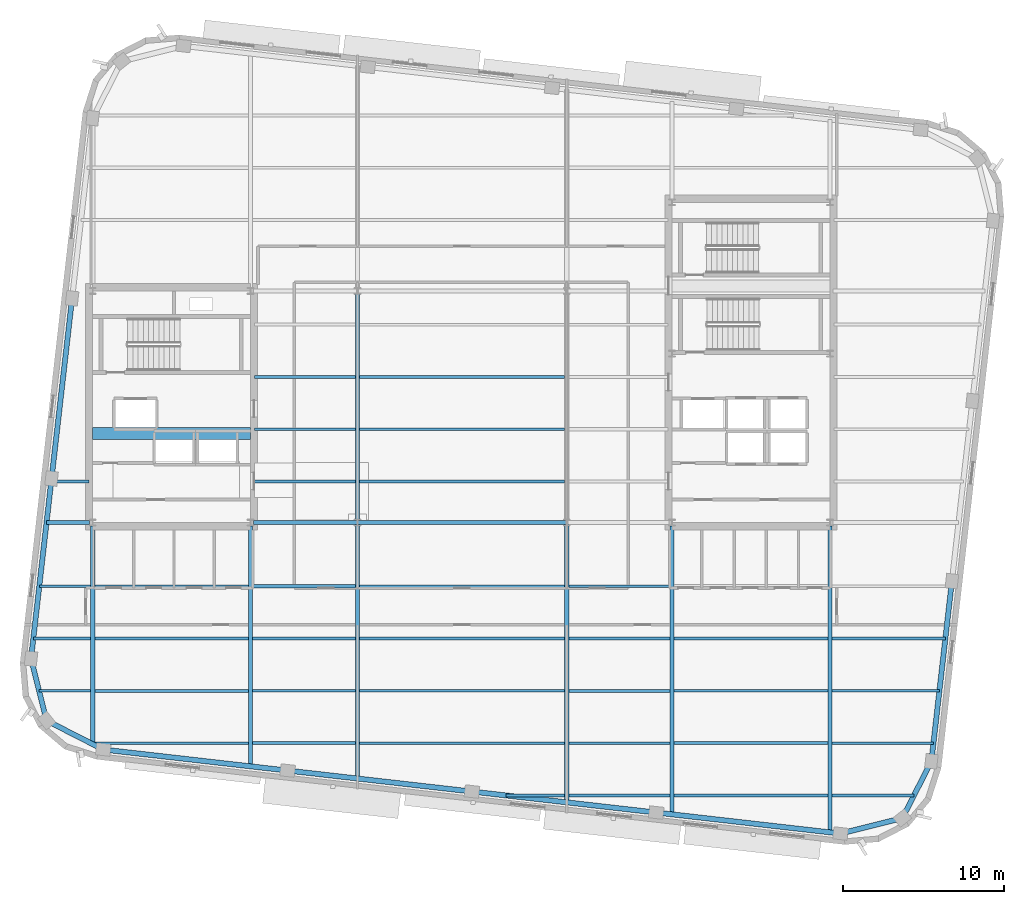
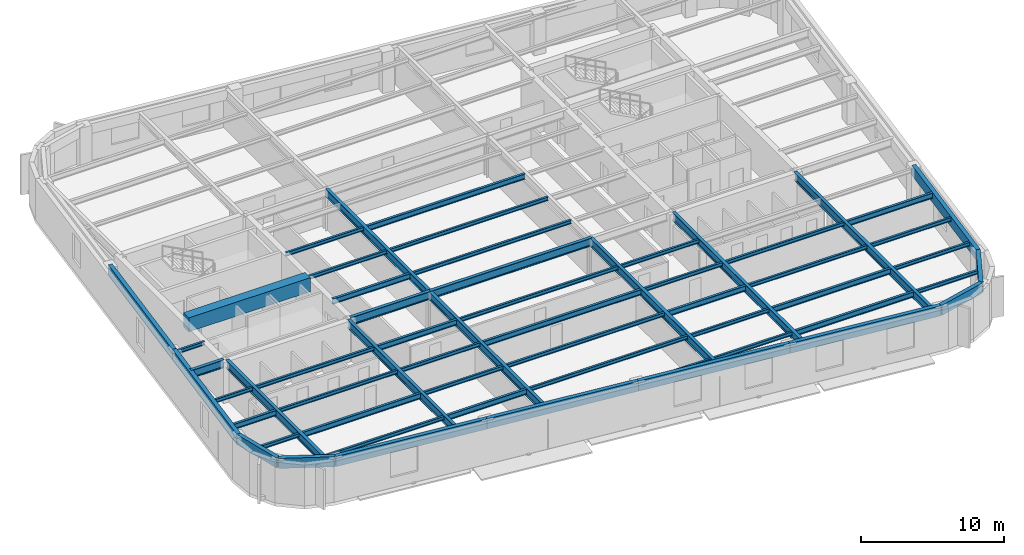
# One storey, part 3 of 14: 58 beams.
"""IFC4 building model written with IfcOpenShell, lengths in metres."""

from ifc_helpers import new_model, si_unit, direction, frame, origin, origin_2d, place, context, subcontext, project, spatial, rectangle, hollow_rectangle, i_section, extrude, material, material_profile, profile_set, type_object, element, save


model = new_model("IFC4")

# Units and contexts
model_context = context("Model", 3, precision=1e-05, world=origin(), true_north=direction((0.0, 1.0)))
body_context = subcontext(model_context, "Body", "Model", "MODEL_VIEW")
ifc_project = project(units=[si_unit("LENGTHUNIT", "METRE"), si_unit("AREAUNIT", "SQUARE_METRE"), si_unit("VOLUMEUNIT", "CUBIC_METRE"), si_unit("PLANEANGLEUNIT", "RADIAN"), si_unit("MASSUNIT", "GRAM", prefix="KILO")], contexts=[model_context])

# Site, building, storey
site_placement = place(None, origin())
site = spatial("IfcSite", under=ifc_project, at=site_placement, CompositionType="ELEMENT")
building_placement = place(site_placement, origin())
building = spatial("IfcBuilding", under=site, at=building_placement, Name="Kolvaren Arena Tower", CompositionType="ELEMENT")
storey_placement = place(building_placement, frame((0.0, 0.0, 235.949951171875)))
storey = spatial("IfcBuildingStorey", under=building, at=storey_placement, Name="L57", CompositionType="ELEMENT", Elevation=235.949951171875)

# Beams
ifc_material_1 = material(Name="Steel CSA G40.21 350W", Category="steel")
ifc_material_profile_1 = material_profile(ifc_material_1, i_section(OverallWidth=0.193115234375, OverallDepth=0.462890625, WebThickness=0.0107421875, FlangeThickness=0.0205078125, FilletRadius=0.012939453125, at=origin_2d()), Name="W460x113")
ifc_profile_set_1 = profile_set([ifc_material_profile_1], Name="Steel CSA G40.21 350W")
beam_type_1 = type_object("IfcBeamType", Name="BEAM-F2", PredefinedType="BEAM", material=ifc_profile_set_1)
beam_1_placement = place(storey_placement, frame((50.677490234375, 2.5, 3.24853515625), z_axis=(1.0, 0.0, 0.0), x_axis=(0.0, 1.0, 0.0)))
element("IfcBeam", 1, at=beam_1_placement, inside=storey, type_object=beam_type_1, Name="Composite Floor Beam (L57)", PredefinedType="BEAM", context=body_context, shape_type="SweptSolid", body=[
    extrude(i_section(OverallWidth=0.193115234375, OverallDepth=0.462890625, WebThickness=0.0107421875, FlangeThickness=0.0205078125, FilletRadius=0.012939453125, at=origin_2d()), origin(), (0.0, 0.0, 1.0), 9.544921875),
])
beam_2_placement = place(storey_placement, frame((24.4775390625, 5.75, 3.24853515625), z_axis=(1.0, 0.0, 0.0), x_axis=(0.0, 1.0, 0.0)))
element("IfcBeam", 2, at=beam_2_placement, inside=storey, type_object=beam_type_1, Name="Composite Floor Beam (L57)", PredefinedType="BEAM", context=body_context, shape_type="SweptSolid", body=[
    extrude(i_section(OverallWidth=0.193115234375, OverallDepth=0.462890625, WebThickness=0.0107421875, FlangeThickness=0.0205078125, FilletRadius=0.012939453125, at=origin_2d()), origin(), (0.0, 0.0, 1.0), 6.39501953125),
])
for number, where, z_axis, x_axis, name in (
    (3, (50.677490234375, 5.75, 3.24853515625), (1.0, 0.0, 0.0), (0.0, 1.0, 0.0), "Composite Floor Beam (L57)"),
    (4, (14.677490234375, 9.0, 3.24853515625), (1.0, 0.0, 0.0), (0.0, 1.0, 0.0), "Composite Floor Beam (L57)"),
):
    element("IfcBeam", number, at=place(storey_placement, frame(where, z_axis=z_axis, x_axis=x_axis)), inside=storey, type_object=beam_type_1, Name=name, PredefinedType="BEAM", context=body_context, shape_type="SweptSolid", body=[
        extrude(i_section(OverallWidth=0.193115234375, OverallDepth=0.462890625, WebThickness=0.0107421875, FlangeThickness=0.0205078125, FilletRadius=0.012939453125, at=origin_2d()), origin(), (0.0, 0.0, 1.0), 9.544921875),
    ])
beam_3_placement = place(storey_placement, frame((44.12744140625, 9.0, 3.24853515625), z_axis=(1.0, 0.0, 0.0), x_axis=(0.0, 1.0, 0.0)))
element("IfcBeam", 5, at=beam_3_placement, inside=storey, type_object=beam_type_1, Name="Composite Floor Beam (L57)", PredefinedType="BEAM", context=body_context, shape_type="SweptSolid", body=[
    extrude(i_section(OverallWidth=0.193115234375, OverallDepth=0.462890625, WebThickness=0.0107421875, FlangeThickness=0.0205078125, FilletRadius=0.012939453125, at=origin_2d()), origin(), (0.0, 0.0, 1.0), 6.295166015625),
])
beam_4_placement = place(storey_placement, frame((10.86083984375, 12.25, 3.24853515625), z_axis=(1.0, 0.0, 0.0), x_axis=(0.0, 1.0, 0.0)))
element("IfcBeam", 6, at=beam_4_placement, inside=storey, type_object=beam_type_1, Name="Composite Floor Beam (L57)", PredefinedType="BEAM", context=body_context, shape_type="SweptSolid", body=[
    extrude(i_section(OverallWidth=0.193115234375, OverallDepth=0.462890625, WebThickness=0.0107421875, FlangeThickness=0.0205078125, FilletRadius=0.012939453125, at=origin_2d()), origin(), (0.0, 0.0, 1.0), 3.561767578125),
])
beam_5_placement = place(storey_placement, frame((31.12744140625, 12.25, 3.24853515625), z_axis=(1.0, 0.0, 0.0), x_axis=(0.0, 1.0, 0.0)))
element("IfcBeam", 7, at=beam_5_placement, inside=storey, type_object=beam_type_1, Name="Composite Floor Beam (L57)", PredefinedType="BEAM", context=body_context, shape_type="SweptSolid", body=[
    extrude(i_section(OverallWidth=0.193115234375, OverallDepth=0.462890625, WebThickness=0.0107421875, FlangeThickness=0.0205078125, FilletRadius=0.012939453125, at=origin_2d()), origin(), (0.0, 0.0, 1.0), 12.7451171875),
])
beam_6_placement = place(storey_placement, frame((60.4775390625, 12.25, 3.24853515625), z_axis=(1.0, 0.0, 0.0), x_axis=(0.0, 1.0, 0.0)))
element("IfcBeam", 8, at=beam_6_placement, inside=storey, type_object=beam_type_1, Name="Composite Floor Beam (L57)", PredefinedType="BEAM", context=body_context, shape_type="SweptSolid", body=[
    extrude(i_section(OverallWidth=0.193115234375, OverallDepth=0.462890625, WebThickness=0.0107421875, FlangeThickness=0.0205078125, FilletRadius=0.012939453125, at=origin_2d()), origin(), (0.0, 0.0, 1.0), 7.04736328125),
])
beam_7_placement = place(storey_placement, frame((24.4775390625, 15.5, 3.24853515625), z_axis=(1.0, 0.0, 0.0), x_axis=(0.0, 1.0, 0.0)))
element("IfcBeam", 9, at=beam_7_placement, inside=storey, type_object=beam_type_1, Name="Composite Floor Beam (L57)", PredefinedType="BEAM", context=body_context, shape_type="SweptSolid", body=[
    extrude(i_section(OverallWidth=0.193115234375, OverallDepth=0.462890625, WebThickness=0.0107421875, FlangeThickness=0.0205078125, FilletRadius=0.012939453125, at=origin_2d()), origin(), (0.0, 0.0, 1.0), 6.39501953125),
])
beam_8_placement = place(storey_placement, frame((24.594970703125, 22.0, 3.24853515625), z_axis=(1.0, 0.0, 0.0), x_axis=(0.0, 1.0, 0.0)))
element("IfcBeam", 10, at=beam_8_placement, inside=storey, type_object=beam_type_1, Name="Composite Floor Beam (L57)", PredefinedType="BEAM", context=body_context, shape_type="SweptSolid", body=[
    extrude(i_section(OverallWidth=0.193115234375, OverallDepth=0.462890625, WebThickness=0.0107421875, FlangeThickness=0.0205078125, FilletRadius=0.012939453125, at=origin_2d()), origin(), (0.0, 0.0, 1.0), 6.277587890625),
])
beam_9_placement = place(storey_placement, frame((31.12744140625, 28.5, 3.24853515625), z_axis=(1.0, 0.0, 0.0), x_axis=(0.0, 1.0, 0.0)))
element("IfcBeam", 11, at=beam_9_placement, inside=storey, type_object=beam_type_1, Name="Composite Floor Beam (L57)", PredefinedType="BEAM", context=body_context, shape_type="SweptSolid", body=[
    extrude(i_section(OverallWidth=0.193115234375, OverallDepth=0.462890625, WebThickness=0.0107421875, FlangeThickness=0.0205078125, FilletRadius=0.012939453125, at=origin_2d()), origin(), (0.0, 0.0, 1.0), 12.7451171875),
])
ifc_material_2 = material(Name="Concrete 60 MPa", Category="concrete")
ifc_material_profile_2 = material_profile(ifc_material_2, rectangle(XDim=0.75, YDim=1.199951171875, at=origin_2d()), Name="RC-750x1200")
ifc_profile_set_2 = profile_set([ifc_material_profile_2], Name="Concrete 60 MPa")
beam_type_2 = type_object("IfcBeamType", Name="CB-CORE-2", PredefinedType="BEAM", material=ifc_profile_set_2)
beam_10_placement = place(storey_placement, frame((14.550048828125, 25.0, 3.150146484375), z_axis=(1.0, 0.0, 0.0), x_axis=(0.0, 1.0, 0.0)))
element("IfcBeam", 12, at=beam_10_placement, inside=storey, type_object=beam_type_2, Name="West Core Coupling Beam (L57)", PredefinedType="BEAM", context=body_context, shape_type="SweptSolid", body=[
    extrude(rectangle(XDim=0.75, YDim=1.199951171875, at=origin_2d()), origin(), (0.0, 0.0, 1.0), 9.800048828125),
])
ifc_material_profile_3 = material_profile(ifc_material_1, i_section(OverallWidth=0.2548828125, OverallDepth=0.695068359375, WebThickness=0.01708984375, FlangeThickness=0.02978515625, FilletRadius=0.01611328125, at=origin_2d()), Name="W690x217")
ifc_profile_set_3 = profile_set([ifc_material_profile_3], Name="Steel CSA G40.21 350W")
beam_type_3 = type_object("IfcBeamType", Name="GIRD-T2", PredefinedType="BEAM", material=ifc_profile_set_3)
beam_11_placement = place(storey_placement, frame((11.68115234375, 19.449951171875, 3.132568359375), z_axis=(1.0, 0.0, 0.0), x_axis=(0.0, 1.0, 0.0)))
element("IfcBeam", 13, at=beam_11_placement, inside=storey, type_object=beam_type_3, Name="Primary Floor Girder (L57)", PredefinedType="BEAM", context=body_context, shape_type="SweptSolid", body=[
    extrude(i_section(OverallWidth=0.2548828125, OverallDepth=0.695068359375, WebThickness=0.01708984375, FlangeThickness=0.02978515625, FilletRadius=0.01611328125, at=origin_2d()), origin(), (0.0, 0.0, 1.0), 2.663818359375),
])
beam_12_placement = place(storey_placement, frame((24.554931640625, 19.449951171875, 3.132568359375), z_axis=(1.0, 0.0, 0.0), x_axis=(0.0, 1.0, 0.0)))
element("IfcBeam", 14, at=beam_12_placement, inside=storey, type_object=beam_type_3, Name="Primary Floor Girder (L57)", PredefinedType="BEAM", context=body_context, shape_type="SweptSolid", body=[
    extrude(i_section(OverallWidth=0.2548828125, OverallDepth=0.695068359375, WebThickness=0.01708984375, FlangeThickness=0.02978515625, FilletRadius=0.01611328125, at=origin_2d()), origin(), (0.0, 0.0, 1.0), 6.445068359375),
])
beam_13_placement = place(storey_placement, frame((31.0, 19.449951171875, 3.132568359375), z_axis=(1.0, 0.0, 0.0), x_axis=(0.0, 1.0, 0.0)))
element("IfcBeam", 15, at=beam_13_placement, inside=storey, type_object=beam_type_3, Name="Primary Floor Girder (L57)", PredefinedType="BEAM", context=body_context, shape_type="SweptSolid", body=[
    extrude(i_section(OverallWidth=0.2548828125, OverallDepth=0.695068359375, WebThickness=0.01708984375, FlangeThickness=0.02978515625, FilletRadius=0.01611328125, at=origin_2d()), origin(), (0.0, 0.0, 1.0), 13.0),
])
beam_14_placement = place(storey_placement, frame((14.550048828125, 5.686767578125, 3.132568359375), z_axis=(0.0, 1.0, 0.0), x_axis=(-1.0, 0.0, 0.0)))
element("IfcBeam", 16, at=beam_14_placement, inside=storey, type_object=beam_type_3, Name="Primary Floor Girder (L57)", PredefinedType="BEAM", context=body_context, shape_type="SweptSolid", body=[
    extrude(i_section(OverallWidth=0.2548828125, OverallDepth=0.695068359375, WebThickness=0.01708984375, FlangeThickness=0.02978515625, FilletRadius=0.01611328125, at=origin_2d()), origin(), (0.0, 0.0, 1.0), 13.558349609375),
])
beam_15_placement = place(storey_placement, frame((24.35009765625, 4.30908203125, 3.132568359375), z_axis=(0.0, 1.0, 0.0), x_axis=(-1.0, 0.0, 0.0)))
element("IfcBeam", 17, at=beam_15_placement, inside=storey, type_object=beam_type_3, Name="Primary Floor Girder (L57)", PredefinedType="BEAM", context=body_context, shape_type="SweptSolid", body=[
    extrude(i_section(OverallWidth=0.2548828125, OverallDepth=0.695068359375, WebThickness=0.01708984375, FlangeThickness=0.02978515625, FilletRadius=0.01611328125, at=origin_2d()), origin(), (0.0, 0.0, 1.0), 14.93603515625),
])
beam_16_placement = place(storey_placement, frame((31.0, 3.551513671875, 3.132568359375), z_axis=(0.0, 1.0, 0.0), x_axis=(-1.0, 0.0, 0.0)))
element("IfcBeam", 18, at=beam_16_placement, inside=storey, type_object=beam_type_3, Name="Primary Floor Girder (L57)", PredefinedType="BEAM", context=body_context, shape_type="SweptSolid", body=[
    extrude(i_section(OverallWidth=0.2548828125, OverallDepth=0.695068359375, WebThickness=0.01708984375, FlangeThickness=0.02978515625, FilletRadius=0.01611328125, at=origin_2d()), origin(), (0.0, 0.0, 1.0), 15.8984375),
])
beam_17_placement = place(storey_placement, frame((31.0, 19.449951171875, 3.132568359375), z_axis=(0.0, 1.0, 0.0), x_axis=(-1.0, 0.0, 0.0)))
element("IfcBeam", 19, at=beam_17_placement, inside=storey, type_object=beam_type_3, Name="Primary Floor Girder (L57)", PredefinedType="BEAM", context=body_context, shape_type="SweptSolid", body=[
    extrude(i_section(OverallWidth=0.2548828125, OverallDepth=0.695068359375, WebThickness=0.01708984375, FlangeThickness=0.02978515625, FilletRadius=0.01611328125, at=origin_2d()), origin(), (0.0, 0.0, 1.0), 14.400146484375),
])
beam_18_placement = place(storey_placement, frame((44.0, 2.0703125, 3.132568359375), z_axis=(0.0, 1.0, 0.0), x_axis=(-1.0, 0.0, 0.0)))
element("IfcBeam", 20, at=beam_18_placement, inside=storey, type_object=beam_type_3, Name="Primary Floor Girder (L57)", PredefinedType="BEAM", context=body_context, shape_type="SweptSolid", body=[
    extrude(i_section(OverallWidth=0.2548828125, OverallDepth=0.695068359375, WebThickness=0.01708984375, FlangeThickness=0.02978515625, FilletRadius=0.01611328125, at=origin_2d()), origin(), (0.0, 0.0, 1.0), 17.379638671875),
])
beam_19_placement = place(storey_placement, frame((50.550048828125, 1.323974609375, 3.132568359375), z_axis=(0.0, 1.0, 0.0), x_axis=(-1.0, 0.0, 0.0)))
element("IfcBeam", 21, at=beam_19_placement, inside=storey, type_object=beam_type_3, Name="Primary Floor Girder (L57)", PredefinedType="BEAM", context=body_context, shape_type="SweptSolid", body=[
    extrude(i_section(OverallWidth=0.2548828125, OverallDepth=0.695068359375, WebThickness=0.01708984375, FlangeThickness=0.02978515625, FilletRadius=0.01611328125, at=origin_2d()), origin(), (0.0, 0.0, 1.0), 17.921142578125),
])
beam_20_placement = place(storey_placement, frame((60.35009765625, 0.20751953125, 3.132568359375), z_axis=(0.0, 1.0, 0.0), x_axis=(-1.0, 0.0, 0.0)))
element("IfcBeam", 22, at=beam_20_placement, inside=storey, type_object=beam_type_3, Name="Primary Floor Girder (L57)", PredefinedType="BEAM", context=body_context, shape_type="SweptSolid", body=[
    extrude(i_section(OverallWidth=0.2548828125, OverallDepth=0.695068359375, WebThickness=0.01708984375, FlangeThickness=0.02978515625, FilletRadius=0.01611328125, at=origin_2d()), origin(), (0.0, 0.0, 1.0), 19.03759765625),
])
ifc_material_profile_4 = material_profile(ifc_material_1, i_section(OverallWidth=0.1669921875, OverallDepth=0.31689453125, WebThickness=0.007568359375, FlangeThickness=0.01318359375, FilletRadius=0.010009765625, at=origin_2d()), Name="W310x52")
ifc_profile_set_4 = profile_set([ifc_material_profile_4], Name="Steel CSA G40.21 350W")
beam_type_4 = type_object("IfcBeamType", Name="JOIST-02", PredefinedType="JOIST", material=ifc_profile_set_4)
beam_21_placement = place(storey_placement, frame((40.228271484375, 2.5, 3.321533203125), z_axis=(1.0, 0.0, 0.0), x_axis=(0.0, 1.0, 0.0)))
element("IfcBeam", 23, at=beam_21_placement, inside=storey, type_object=beam_type_4, Name="Composite Floor Joist (L57)", PredefinedType="JOIST", context=body_context, shape_type="SweptSolid", body=[
    extrude(i_section(OverallWidth=0.1669921875, OverallDepth=0.31689453125, WebThickness=0.007568359375, FlangeThickness=0.01318359375, FilletRadius=0.010009765625, at=origin_2d()), origin(), (0.0, 0.0, 1.0), 3.644287109375),
])
beam_22_placement = place(storey_placement, frame((44.12744140625, 2.5, 3.321533203125), z_axis=(1.0, 0.0, 0.0), x_axis=(0.0, 1.0, 0.0)))
element("IfcBeam", 24, at=beam_22_placement, inside=storey, type_object=beam_type_4, Name="Composite Floor Joist (L57)", PredefinedType="JOIST", context=body_context, shape_type="SweptSolid", body=[
    extrude(i_section(OverallWidth=0.1669921875, OverallDepth=0.31689453125, WebThickness=0.007568359375, FlangeThickness=0.01318359375, FilletRadius=0.010009765625, at=origin_2d()), origin(), (0.0, 0.0, 1.0), 6.295166015625),
])
beam_23_placement = place(storey_placement, frame((60.4775390625, 2.5, 3.321533203125), z_axis=(1.0, 0.0, 0.0), x_axis=(0.0, 1.0, 0.0)))
element("IfcBeam", 25, at=beam_23_placement, inside=storey, type_object=beam_type_4, Name="Composite Floor Joist (L57)", PredefinedType="JOIST", context=body_context, shape_type="SweptSolid", body=[
    extrude(i_section(OverallWidth=0.1669921875, OverallDepth=0.31689453125, WebThickness=0.007568359375, FlangeThickness=0.01318359375, FilletRadius=0.010009765625, at=origin_2d()), origin(), (0.0, 0.0, 1.0), 5.09423828125),
])
beam_24_placement = place(storey_placement, frame((14.42626953125, 5.75, 3.321533203125), z_axis=(1.0, 0.0, 0.0), x_axis=(0.0, 1.0, 0.0)))
element("IfcBeam", 26, at=beam_24_placement, inside=storey, type_object=beam_type_4, Name="Composite Floor Joist (L57)", PredefinedType="JOIST", context=body_context, shape_type="SweptSolid", body=[
    extrude(i_section(OverallWidth=0.1669921875, OverallDepth=0.31689453125, WebThickness=0.007568359375, FlangeThickness=0.01318359375, FilletRadius=0.010009765625, at=origin_2d()), origin(), (0.0, 0.0, 1.0), 9.796142578125),
])
beam_25_placement = place(storey_placement, frame((31.12744140625, 5.75, 3.321533203125), z_axis=(1.0, 0.0, 0.0), x_axis=(0.0, 1.0, 0.0)))
element("IfcBeam", 27, at=beam_25_placement, inside=storey, type_object=beam_type_4, Name="Composite Floor Joist (L57)", PredefinedType="JOIST", context=body_context, shape_type="SweptSolid", body=[
    extrude(i_section(OverallWidth=0.1669921875, OverallDepth=0.31689453125, WebThickness=0.007568359375, FlangeThickness=0.01318359375, FilletRadius=0.010009765625, at=origin_2d()), origin(), (0.0, 0.0, 1.0), 12.7451171875),
])
beam_26_placement = place(storey_placement, frame((44.12744140625, 5.75, 3.321533203125), z_axis=(1.0, 0.0, 0.0), x_axis=(0.0, 1.0, 0.0)))
element("IfcBeam", 28, at=beam_26_placement, inside=storey, type_object=beam_type_4, Name="Composite Floor Joist (L57)", PredefinedType="JOIST", context=body_context, shape_type="SweptSolid", body=[
    extrude(i_section(OverallWidth=0.1669921875, OverallDepth=0.31689453125, WebThickness=0.007568359375, FlangeThickness=0.01318359375, FilletRadius=0.010009765625, at=origin_2d()), origin(), (0.0, 0.0, 1.0), 6.295166015625),
])
beam_27_placement = place(storey_placement, frame((60.4775390625, 5.75, 3.321533203125), z_axis=(1.0, 0.0, 0.0), x_axis=(0.0, 1.0, 0.0)))
element("IfcBeam", 29, at=beam_27_placement, inside=storey, type_object=beam_type_4, Name="Composite Floor Joist (L57)", PredefinedType="JOIST", context=body_context, shape_type="SweptSolid", body=[
    extrude(i_section(OverallWidth=0.1669921875, OverallDepth=0.31689453125, WebThickness=0.007568359375, FlangeThickness=0.01318359375, FilletRadius=0.010009765625, at=origin_2d()), origin(), (0.0, 0.0, 1.0), 6.306884765625),
])
beam_28_placement = place(storey_placement, frame((11.217529296875, 9.0, 3.321533203125), z_axis=(1.0, 0.0, 0.0), x_axis=(0.0, 1.0, 0.0)))
element("IfcBeam", 30, at=beam_28_placement, inside=storey, type_object=beam_type_4, Name="Composite Floor Joist (L57)", PredefinedType="JOIST", context=body_context, shape_type="SweptSolid", body=[
    extrude(i_section(OverallWidth=0.1669921875, OverallDepth=0.31689453125, WebThickness=0.007568359375, FlangeThickness=0.01318359375, FilletRadius=0.010009765625, at=origin_2d()), origin(), (0.0, 0.0, 1.0), 3.205078125),
])
beam_29_placement = place(storey_placement, frame((24.4775390625, 9.0, 3.321533203125), z_axis=(1.0, 0.0, 0.0), x_axis=(0.0, 1.0, 0.0)))
element("IfcBeam", 31, at=beam_29_placement, inside=storey, type_object=beam_type_4, Name="Composite Floor Joist (L57)", PredefinedType="JOIST", context=body_context, shape_type="SweptSolid", body=[
    extrude(i_section(OverallWidth=0.1669921875, OverallDepth=0.31689453125, WebThickness=0.007568359375, FlangeThickness=0.01318359375, FilletRadius=0.010009765625, at=origin_2d()), origin(), (0.0, 0.0, 1.0), 6.39501953125),
])
beam_30_placement = place(storey_placement, frame((31.12744140625, 9.0, 3.321533203125), z_axis=(1.0, 0.0, 0.0), x_axis=(0.0, 1.0, 0.0)))
element("IfcBeam", 32, at=beam_30_placement, inside=storey, type_object=beam_type_4, Name="Composite Floor Joist (L57)", PredefinedType="JOIST", context=body_context, shape_type="SweptSolid", body=[
    extrude(i_section(OverallWidth=0.1669921875, OverallDepth=0.31689453125, WebThickness=0.007568359375, FlangeThickness=0.01318359375, FilletRadius=0.010009765625, at=origin_2d()), origin(), (0.0, 0.0, 1.0), 12.7451171875),
])
beam_31_placement = place(storey_placement, frame((50.677490234375, 9.0, 3.321533203125), z_axis=(1.0, 0.0, 0.0), x_axis=(0.0, 1.0, 0.0)))
element("IfcBeam", 33, at=beam_31_placement, inside=storey, type_object=beam_type_4, Name="Composite Floor Joist (L57)", PredefinedType="JOIST", context=body_context, shape_type="SweptSolid", body=[
    extrude(i_section(OverallWidth=0.1669921875, OverallDepth=0.31689453125, WebThickness=0.007568359375, FlangeThickness=0.01318359375, FilletRadius=0.010009765625, at=origin_2d()), origin(), (0.0, 0.0, 1.0), 9.544921875),
])
beam_32_placement = place(storey_placement, frame((60.4775390625, 9.0, 3.321533203125), z_axis=(1.0, 0.0, 0.0), x_axis=(0.0, 1.0, 0.0)))
element("IfcBeam", 34, at=beam_32_placement, inside=storey, type_object=beam_type_4, Name="Composite Floor Joist (L57)", PredefinedType="JOIST", context=body_context, shape_type="SweptSolid", body=[
    extrude(i_section(OverallWidth=0.1669921875, OverallDepth=0.31689453125, WebThickness=0.007568359375, FlangeThickness=0.01318359375, FilletRadius=0.010009765625, at=origin_2d()), origin(), (0.0, 0.0, 1.0), 6.67724609375),
])
beam_33_placement = place(storey_placement, frame((14.677490234375, 12.25, 3.321533203125), z_axis=(1.0, 0.0, 0.0), x_axis=(0.0, 1.0, 0.0)))
element("IfcBeam", 35, at=beam_33_placement, inside=storey, type_object=beam_type_4, Name="Composite Floor Joist (L57)", PredefinedType="JOIST", context=body_context, shape_type="SweptSolid", body=[
    extrude(i_section(OverallWidth=0.1669921875, OverallDepth=0.31689453125, WebThickness=0.007568359375, FlangeThickness=0.01318359375, FilletRadius=0.010009765625, at=origin_2d()), origin(), (0.0, 0.0, 1.0), 9.544921875),
])
beam_34_placement = place(storey_placement, frame((24.4775390625, 12.25, 3.321533203125), z_axis=(1.0, 0.0, 0.0), x_axis=(0.0, 1.0, 0.0)))
element("IfcBeam", 36, at=beam_34_placement, inside=storey, type_object=beam_type_4, Name="Composite Floor Joist (L57)", PredefinedType="JOIST", context=body_context, shape_type="SweptSolid", body=[
    extrude(i_section(OverallWidth=0.1669921875, OverallDepth=0.31689453125, WebThickness=0.007568359375, FlangeThickness=0.01318359375, FilletRadius=0.010009765625, at=origin_2d()), origin(), (0.0, 0.0, 1.0), 6.39501953125),
])
beam_35_placement = place(storey_placement, frame((44.12744140625, 12.25, 3.321533203125), z_axis=(1.0, 0.0, 0.0), x_axis=(0.0, 1.0, 0.0)))
element("IfcBeam", 37, at=beam_35_placement, inside=storey, type_object=beam_type_4, Name="Composite Floor Joist (L57)", PredefinedType="JOIST", context=body_context, shape_type="SweptSolid", body=[
    extrude(i_section(OverallWidth=0.1669921875, OverallDepth=0.31689453125, WebThickness=0.007568359375, FlangeThickness=0.01318359375, FilletRadius=0.010009765625, at=origin_2d()), origin(), (0.0, 0.0, 1.0), 6.295166015625),
])
beam_36_placement = place(storey_placement, frame((50.677490234375, 12.25, 3.321533203125), z_axis=(1.0, 0.0, 0.0), x_axis=(0.0, 1.0, 0.0)))
element("IfcBeam", 38, at=beam_36_placement, inside=storey, type_object=beam_type_4, Name="Composite Floor Joist (L57)", PredefinedType="JOIST", context=body_context, shape_type="SweptSolid", body=[
    extrude(i_section(OverallWidth=0.1669921875, OverallDepth=0.31689453125, WebThickness=0.007568359375, FlangeThickness=0.01318359375, FilletRadius=0.010009765625, at=origin_2d()), origin(), (0.0, 0.0, 1.0), 9.544921875),
])
beam_37_placement = place(storey_placement, frame((11.23095703125, 15.5, 3.321533203125), z_axis=(1.0, 0.0, 0.0), x_axis=(0.0, 1.0, 0.0)))
element("IfcBeam", 39, at=beam_37_placement, inside=storey, type_object=beam_type_4, Name="Composite Floor Joist (L57)", PredefinedType="JOIST", context=body_context, shape_type="SweptSolid", body=[
    extrude(i_section(OverallWidth=0.1669921875, OverallDepth=0.31689453125, WebThickness=0.007568359375, FlangeThickness=0.01318359375, FilletRadius=0.010009765625, at=origin_2d()), origin(), (0.0, 0.0, 1.0), 3.191650390625),
])
beam_38_placement = place(storey_placement, frame((14.677490234375, 15.5, 3.321533203125), z_axis=(1.0, 0.0, 0.0), x_axis=(0.0, 1.0, 0.0)))
element("IfcBeam", 40, at=beam_38_placement, inside=storey, type_object=beam_type_4, Name="Composite Floor Joist (L57)", PredefinedType="JOIST", context=body_context, shape_type="SweptSolid", body=[
    extrude(i_section(OverallWidth=0.1669921875, OverallDepth=0.31689453125, WebThickness=0.007568359375, FlangeThickness=0.01318359375, FilletRadius=0.010009765625, at=origin_2d()), origin(), (0.0, 0.0, 1.0), 9.544921875),
])
beam_39_placement = place(storey_placement, frame((31.12744140625, 15.5, 3.321533203125), z_axis=(1.0, 0.0, 0.0), x_axis=(0.0, 1.0, 0.0)))
element("IfcBeam", 41, at=beam_39_placement, inside=storey, type_object=beam_type_4, Name="Composite Floor Joist (L57)", PredefinedType="JOIST", context=body_context, shape_type="SweptSolid", body=[
    extrude(i_section(OverallWidth=0.1669921875, OverallDepth=0.31689453125, WebThickness=0.007568359375, FlangeThickness=0.01318359375, FilletRadius=0.010009765625, at=origin_2d()), origin(), (0.0, 0.0, 1.0), 12.7451171875),
])
beam_40_placement = place(storey_placement, frame((44.12744140625, 15.5, 3.321533203125), z_axis=(1.0, 0.0, 0.0), x_axis=(0.0, 1.0, 0.0)))
element("IfcBeam", 42, at=beam_40_placement, inside=storey, type_object=beam_type_4, Name="Composite Floor Joist (L57)", PredefinedType="JOIST", context=body_context, shape_type="SweptSolid", body=[
    extrude(i_section(OverallWidth=0.1669921875, OverallDepth=0.31689453125, WebThickness=0.007568359375, FlangeThickness=0.01318359375, FilletRadius=0.010009765625, at=origin_2d()), origin(), (0.0, 0.0, 1.0), 6.295166015625),
])
beam_41_placement = place(storey_placement, frame((11.9716796875, 22.0, 3.321533203125), z_axis=(1.0, 0.0, 0.0), x_axis=(0.0, 1.0, 0.0)))
element("IfcBeam", 43, at=beam_41_placement, inside=storey, type_object=beam_type_4, Name="Composite Floor Joist (L57)", PredefinedType="JOIST", context=body_context, shape_type="SweptSolid", body=[
    extrude(i_section(OverallWidth=0.1669921875, OverallDepth=0.31689453125, WebThickness=0.007568359375, FlangeThickness=0.01318359375, FilletRadius=0.010009765625, at=origin_2d()), origin(), (0.0, 0.0, 1.0), 2.333251953125),
])
beam_42_placement = place(storey_placement, frame((31.12744140625, 22.0, 3.321533203125), z_axis=(1.0, 0.0, 0.0), x_axis=(0.0, 1.0, 0.0)))
element("IfcBeam", 44, at=beam_42_placement, inside=storey, type_object=beam_type_4, Name="Composite Floor Joist (L57)", PredefinedType="JOIST", context=body_context, shape_type="SweptSolid", body=[
    extrude(i_section(OverallWidth=0.1669921875, OverallDepth=0.31689453125, WebThickness=0.007568359375, FlangeThickness=0.01318359375, FilletRadius=0.010009765625, at=origin_2d()), origin(), (0.0, 0.0, 1.0), 12.7451171875),
])
beam_43_placement = place(storey_placement, frame((24.594970703125, 25.25, 3.321533203125), z_axis=(1.0, 0.0, 0.0), x_axis=(0.0, 1.0, 0.0)))
element("IfcBeam", 45, at=beam_43_placement, inside=storey, type_object=beam_type_4, Name="Composite Floor Joist (L57)", PredefinedType="JOIST", context=body_context, shape_type="SweptSolid", body=[
    extrude(i_section(OverallWidth=0.1669921875, OverallDepth=0.31689453125, WebThickness=0.007568359375, FlangeThickness=0.01318359375, FilletRadius=0.010009765625, at=origin_2d()), origin(), (0.0, 0.0, 1.0), 6.277587890625),
])
beam_44_placement = place(storey_placement, frame((31.12744140625, 25.25, 3.321533203125), z_axis=(1.0, 0.0, 0.0), x_axis=(0.0, 1.0, 0.0)))
element("IfcBeam", 46, at=beam_44_placement, inside=storey, type_object=beam_type_4, Name="Composite Floor Joist (L57)", PredefinedType="JOIST", context=body_context, shape_type="SweptSolid", body=[
    extrude(i_section(OverallWidth=0.1669921875, OverallDepth=0.31689453125, WebThickness=0.007568359375, FlangeThickness=0.01318359375, FilletRadius=0.010009765625, at=origin_2d()), origin(), (0.0, 0.0, 1.0), 12.7451171875),
])
beam_45_placement = place(storey_placement, frame((24.594970703125, 28.5, 3.321533203125), z_axis=(1.0, 0.0, 0.0), x_axis=(0.0, 1.0, 0.0)))
element("IfcBeam", 47, at=beam_45_placement, inside=storey, type_object=beam_type_4, Name="Composite Floor Joist (L57)", PredefinedType="JOIST", context=body_context, shape_type="SweptSolid", body=[
    extrude(i_section(OverallWidth=0.1669921875, OverallDepth=0.31689453125, WebThickness=0.007568359375, FlangeThickness=0.01318359375, FilletRadius=0.010009765625, at=origin_2d()), origin(), (0.0, 0.0, 1.0), 6.277587890625),
])
ifc_material_3 = material(Name="Steel CSA G40.21 350WT", Category="steel")
ifc_material_profile_5 = material_profile(ifc_material_3, hollow_rectangle(XDim=0.320068359375, YDim=0.860107421875, WallThickness=0.01806640625, at=origin_2d()), Name="HSS 860x320x18")
ifc_profile_set_5 = profile_set([ifc_material_profile_5], Name="Steel CSA G40.21 350WT")
beam_type_5 = type_object("IfcBeamType", Name="SPAND-02", PredefinedType="SPANDREL", material=ifc_profile_set_5)
for number, where, z_axis, x_axis, name in (
    (48, (15.207763671875, 5.350830078125, 3.050048828125), (0.99357166944, -0.113204848336, 0.0), (0.113204848336, 0.99357166944, 0.0), "Perimeter Spandrel Beam (L57)"),
    (49, (26.65869140625, 4.046142578125, 3.050048828125), (0.99357166944, -0.113204848336, 0.0), (0.113204848336, 0.99357166944, 0.0), "Perimeter Spandrel Beam (L57)"),
):
    element("IfcBeam", number, at=place(storey_placement, frame(where, z_axis=z_axis, x_axis=x_axis)), inside=storey, type_object=beam_type_5, Name=name, PredefinedType="SPANDREL", context=body_context, shape_type="SweptSolid", body=[
        extrude(hollow_rectangle(XDim=0.320068359375, YDim=0.860107421875, WallThickness=0.01806640625, at=origin_2d()), origin(), (0.0, 0.0, 1.0), 11.52490234375),
    ])
beam_46_placement = place(storey_placement, frame((38.109619140625, 2.741455078125, 3.050048828125), z_axis=(0.993571397957, -0.113207231049, 0.0), x_axis=(0.113207231049, 0.993571397957, 0.0)))
element("IfcBeam", 50, at=beam_46_placement, inside=storey, type_object=beam_type_5, Name="Perimeter Spandrel Beam (L57)", PredefinedType="SPANDREL", context=body_context, shape_type="SweptSolid", body=[
    extrude(hollow_rectangle(XDim=0.320068359375, YDim=0.860107421875, WallThickness=0.01806640625, at=origin_2d()), origin(), (0.0, 0.0, 1.0), 11.524658203125),
])
beam_47_placement = place(storey_placement, frame((49.560302734375, 1.436767578125, 3.050048828125), z_axis=(0.993571940905, -0.113202465721, 0.0), x_axis=(0.113202465721, 0.993571940905, 0.0)))
element("IfcBeam", 51, at=beam_47_placement, inside=storey, type_object=beam_type_5, Name="Perimeter Spandrel Beam (L57)", PredefinedType="SPANDREL", context=body_context, shape_type="SweptSolid", body=[
    extrude(hollow_rectangle(XDim=0.320068359375, YDim=0.860107421875, WallThickness=0.01806640625, at=origin_2d()), origin(), (0.0, 0.0, 1.0), 11.525146484375),
])
beam_48_placement = place(storey_placement, frame((61.011474609375, 0.132080078125, 3.050048828125), z_axis=(0.970033632471, 0.242970681103, 0.0), x_axis=(-0.242970681103, 0.970033632471, 0.0)))
element("IfcBeam", 52, at=beam_48_placement, inside=storey, type_object=beam_type_5, Name="Perimeter Spandrel Beam (L57)", PredefinedType="SPANDREL", context=body_context, shape_type="SweptSolid", body=[
    extrude(hollow_rectangle(XDim=0.320068359375, YDim=0.860107421875, WallThickness=0.01806640625, at=origin_2d()), origin(), (0.0, 0.0, 1.0), 3.9609375),
])
beam_49_placement = place(storey_placement, frame((64.853759765625, 1.094482421875, 3.050048828125), z_axis=(0.454962284061, 0.89051070745, 0.0), x_axis=(-0.89051070745, 0.454962284061, 0.0)))
element("IfcBeam", 53, at=beam_49_placement, inside=storey, type_object=beam_type_5, Name="Perimeter Spandrel Beam (L57)", PredefinedType="SPANDREL", context=body_context, shape_type="SweptSolid", body=[
    extrude(hollow_rectangle(XDim=0.320068359375, YDim=0.860107421875, WallThickness=0.01806640625, at=origin_2d()), origin(), (0.0, 0.0, 1.0), 3.96142578125),
])
beam_50_placement = place(storey_placement, frame((66.656005859375, 4.6220703125, 3.050048828125), z_axis=(0.113201896536, 0.993572005755, 0.0), x_axis=(-0.993572005755, 0.113201896536, 0.0)))
element("IfcBeam", 54, at=beam_50_placement, inside=storey, type_object=beam_type_5, Name="Perimeter Spandrel Beam (L57)", PredefinedType="SPANDREL", context=body_context, shape_type="SweptSolid", body=[
    extrude(hollow_rectangle(XDim=0.320068359375, YDim=0.860107421875, WallThickness=0.01806640625, at=origin_2d()), origin(), (0.0, 0.0, 1.0), 11.2666015625),
])
beam_51_placement = place(storey_placement, frame((13.268798828125, 33.3837890625, 3.050048828125), z_axis=(-0.113220850685, -0.993569846045, 0.0), x_axis=(0.993569846045, -0.113220850685, 0.0)))
element("IfcBeam", 55, at=beam_51_placement, inside=storey, type_object=beam_type_5, Name="Perimeter Spandrel Beam (L57)", PredefinedType="SPANDREL", context=body_context, shape_type="SweptSolid", body=[
    extrude(hollow_rectangle(XDim=0.320068359375, YDim=0.860107421875, WallThickness=0.01806640625, at=origin_2d()), origin(), (0.0, 0.0, 1.0), 11.266845703125),
])
beam_52_placement = place(storey_placement, frame((11.9931640625, 22.189453125, 3.050048828125), z_axis=(-0.113201896536, -0.993572005755, 0.0), x_axis=(0.993572005755, -0.113201896536, 0.0)))
element("IfcBeam", 56, at=beam_52_placement, inside=storey, type_object=beam_type_5, Name="Perimeter Spandrel Beam (L57)", PredefinedType="SPANDREL", context=body_context, shape_type="SweptSolid", body=[
    extrude(hollow_rectangle(XDim=0.320068359375, YDim=0.860107421875, WallThickness=0.01806640625, at=origin_2d()), origin(), (0.0, 0.0, 1.0), 11.2666015625),
])
beam_53_placement = place(storey_placement, frame((10.7177734375, 10.995361328125, 3.050048828125), z_axis=(0.243014148252, -0.970022743934, 0.0), x_axis=(0.970022743934, 0.243014148252, 0.0)))
element("IfcBeam", 57, at=beam_53_placement, inside=storey, type_object=beam_type_5, Name="Perimeter Spandrel Beam (L57)", PredefinedType="SPANDREL", context=body_context, shape_type="SweptSolid", body=[
    extrude(hollow_rectangle(XDim=0.320068359375, YDim=0.860107421875, WallThickness=0.01806640625, at=origin_2d()), origin(), (0.0, 0.0, 1.0), 3.961181640625),
])
beam_54_placement = place(storey_placement, frame((11.680419921875, 7.15283203125, 3.050048828125), z_axis=(0.890522920884, -0.454938377564, 0.0), x_axis=(0.454938377564, 0.890522920884, 0.0)))
element("IfcBeam", 58, at=beam_54_placement, inside=storey, type_object=beam_type_5, Name="Perimeter Spandrel Beam (L57)", PredefinedType="SPANDREL", context=body_context, shape_type="SweptSolid", body=[
    extrude(hollow_rectangle(XDim=0.320068359375, YDim=0.860107421875, WallThickness=0.01806640625, at=origin_2d()), origin(), (0.0, 0.0, 1.0), 3.9609375),
])

save(model, "model.ifc")
